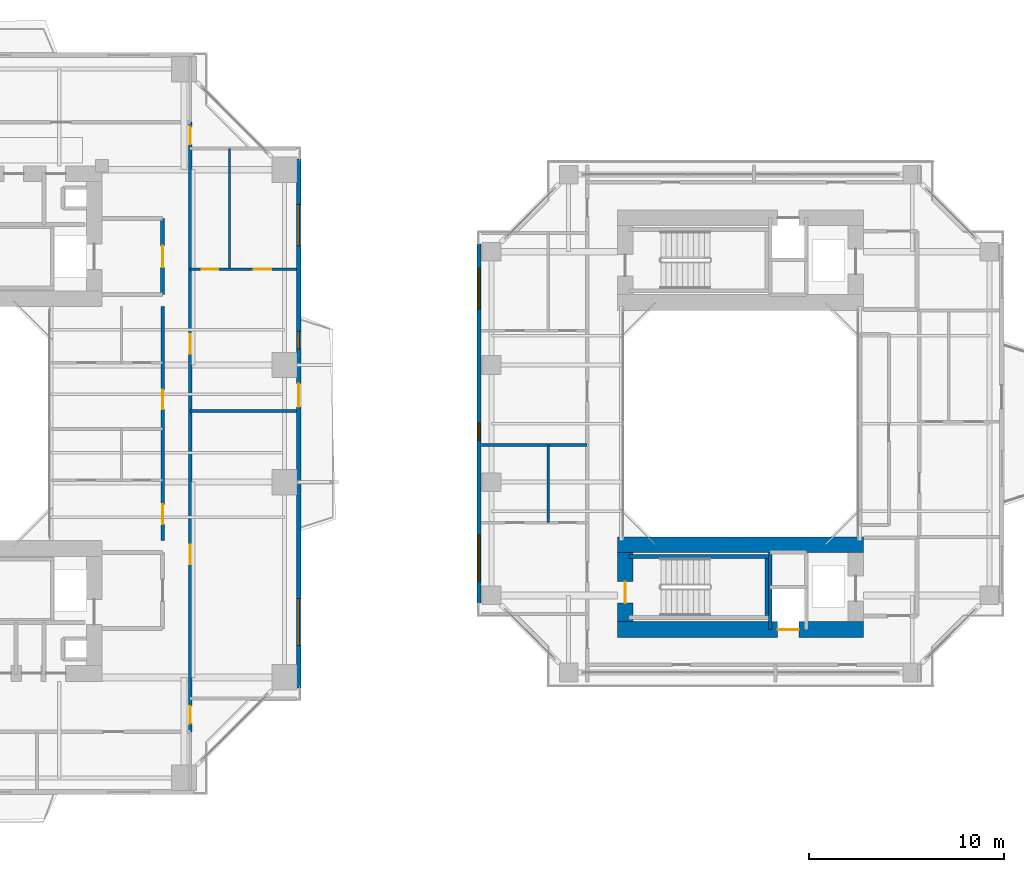
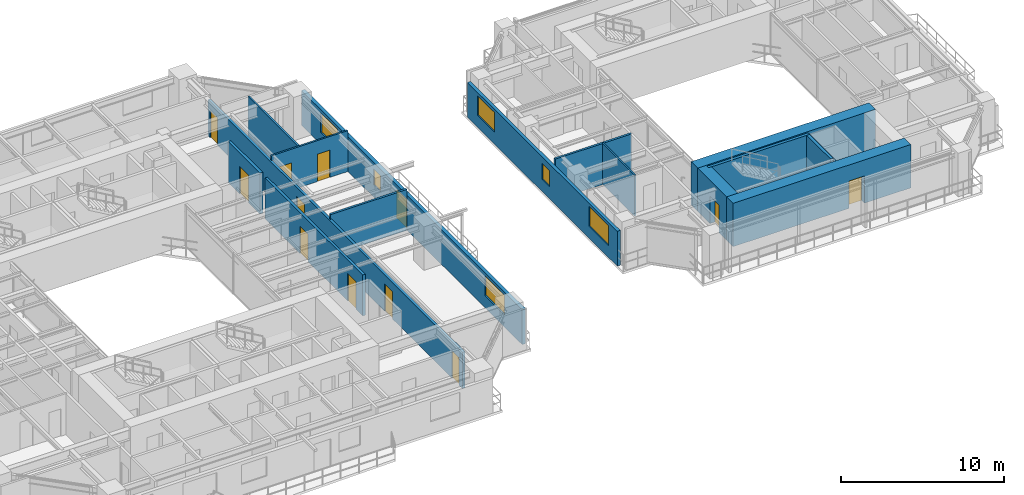
# One storey, part 15 of 23: 16 walls, 12 doors, 6 windows, 18 openings.
"""IFC4 building model written with IfcOpenShell, lengths in metres."""

from ifc_helpers import new_model, si_unit, direction, frame, frame_2d, origin, place, context, subcontext, project, spatial, rectangle, extrude, source, transform, mapped, material, layer, layer_set, type_object, element, fill, save


model = new_model("IFC4")

# Units and contexts
model_context = context("Model", 3, precision=1e-05, world=origin(), true_north=direction((0.0, 1.0)))
body_context = subcontext(model_context, "Body", "Model", "MODEL_VIEW")
ifc_project = project(units=[si_unit("LENGTHUNIT", "METRE"), si_unit("AREAUNIT", "SQUARE_METRE"), si_unit("VOLUMEUNIT", "CUBIC_METRE"), si_unit("PLANEANGLEUNIT", "RADIAN"), si_unit("MASSUNIT", "GRAM", prefix="KILO"), si_unit("THERMODYNAMICTEMPERATUREUNIT", "KELVIN"), si_unit("POWERUNIT", "WATT")], contexts=[model_context])

# Site, building, storey
site_placement = place(None, origin())
site = spatial("IfcSite", under=ifc_project, at=site_placement, CompositionType="ELEMENT")
building_placement = place(site_placement, origin())
building = spatial("IfcBuilding", under=site, at=building_placement, Name="Qiaomeng Ring Towers", CompositionType="ELEMENT")
storey_placement = place(building_placement, frame((0.0, 0.0, 26.25)))
storey = spatial("IfcBuildingStorey", under=building, at=storey_placement, Name="L06", CompositionType="ELEMENT", Elevation=26.25)

# Wall, openings, windows, door
ifc_material_1 = material(Name="Precast concrete C40", Category="concrete")
ifc_layer_1 = layer(ifc_material_1, 0.25, Name="Precast concrete C40")
ifc_layer_set_1 = layer_set([ifc_layer_1], Name="Precast concrete C40")
wall_type_1 = type_object("IfcWallType", Name="ARC-WL-EW1", PredefinedType="STANDARD", material=ifc_layer_set_1)
wall_1_placement = place(storey_placement, frame((37.875, 9.449951171875, 0.0), z_axis=(0.0, 0.0, 1.0), x_axis=(0.0, 1.0, 0.0)))
wall_1 = element("IfcWall", 1, at=wall_1_placement, inside=storey, type_object=wall_type_1, Name="L06 Tower 1 E Exterior Wall", PredefinedType="STANDARD", context=body_context, shape_type="SweptSolid", body=[
    extrude(rectangle(XDim=27.10009765625, YDim=0.25, at=frame_2d((13.550048828125, 0.0))), origin(), (0.0, 0.0, 1.0), 2.610107421875),
])
opening_1_placement = place(wall_1_placement, frame((14.39990234375, 0.0, 0.0)))
opening_1 = element("IfcOpeningElement", 2, at=opening_1_placement, cuts=wall_1, Name="Opening BD1", PredefinedType="OPENING", context=body_context, shape_type="SweptSolid", body=[
    extrude(rectangle(XDim=1.199951171875, YDim=2.10009765625, at=frame_2d((0.60009765625, 1.050048828125))), frame((0.0, 0.135009765625, 0.0), z_axis=(0.0, -1.0, 0.0), x_axis=(1.0, 0.0, 0.0)), (0.0, 0.0, 1.0), 0.27001953125),
])
opening_2_placement = place(wall_1_placement, frame((2.18798828125, 0.0, 0.89990234375)))
opening_2 = element("IfcOpeningElement", 3, at=opening_2_placement, cuts=wall_1, Name="Opening WN6", PredefinedType="OPENING", context=body_context, shape_type="SweptSolid", body=[
    extrude(rectangle(XDim=2.39990234375, YDim=1.47998046875, at=frame_2d((1.199951171875, 0.739990234375))), frame((0.0, 0.135009765625, 0.0), z_axis=(0.0, -1.0, 0.0), x_axis=(1.0, 0.0, 0.0)), (0.0, 0.0, 1.0), 0.27001953125),
])
opening_3_placement = place(wall_1_placement, frame((22.6630859375, 0.0, 0.89990234375)))
opening_3 = element("IfcOpeningElement", 4, at=opening_3_placement, cuts=wall_1, Name="Opening WN4", PredefinedType="OPENING", context=body_context, shape_type="SweptSolid", body=[
    extrude(rectangle(XDim=2.10009765625, YDim=1.47998046875, at=frame_2d((1.050048828125, 0.739990234375))), frame((0.0, 0.135009765625, 0.0), z_axis=(0.0, -1.0, 0.0), x_axis=(1.0, 0.0, 0.0)), (0.0, 0.0, 1.0), 0.27001953125),
])
opening_4_placement = place(wall_1_placement, frame((17.364990234375, 0.0, 0.89990234375)))
opening_4 = element("IfcOpeningElement", 5, at=opening_4_placement, cuts=wall_1, Name="Opening WN5", PredefinedType="OPENING", context=body_context, shape_type="SweptSolid", body=[
    extrude(rectangle(XDim=0.89990234375, YDim=1.199951171875, at=frame_2d((0.449951171875, 0.60009765625))), frame((0.0, 0.135009765625, 0.0), z_axis=(0.0, -1.0, 0.0), x_axis=(1.0, 0.0, 0.0)), (0.0, 0.0, 1.0), 0.27001953125),
])
ifc_material_2 = material(Name="Low-E dark-grey laminated double glazing", Category="glass")
window_type_1 = type_object("IfcWindowType", Name="ARC-WN-4", PartitioningType="TRIPLE_PANEL_VERTICAL", PredefinedType="WINDOW", material=ifc_material_2)
shared_shape_1 = source(origin(), body_context, "Body", "SweptSolid", [
    extrude(rectangle(XDim=2.10009765625, YDim=1.47998046875, at=frame_2d((1.050048828125, 0.739990234375))), frame((0.0, 0.030029296875, 0.0), z_axis=(0.0, -1.0, 0.0), x_axis=(1.0, 0.0, 0.0)), (0.0, 0.0, 1.0), 0.06005859375),
])
window_1_placement = place(opening_3_placement, origin())
window_1 = element("IfcWindow", 6, at=window_1_placement, inside=storey, type_object=window_type_1, Name="L06 Exterior Window WN4", OverallHeight=1.47998046875, OverallWidth=2.10009765625, PartitioningType="TRIPLE_PANEL_VERTICAL", PredefinedType="WINDOW", context=body_context, shape_type="MappedRepresentation", body=[
    mapped(shared_shape_1, transform((0.0, 0.0, 0.0), x_axis=(1.0, 0.0, 0.0), y_axis=(0.0, 1.0, 0.0), z_axis=(0.0, 0.0, 1.0), scale=1.0)),
])
fill(opening_3, window_1)
window_type_2 = type_object("IfcWindowType", Name="ARC-WN-6", PartitioningType="TRIPLE_PANEL_VERTICAL", PredefinedType="WINDOW", material=ifc_material_2)
shared_shape_2 = source(origin(), body_context, "Body", "SweptSolid", [
    extrude(rectangle(XDim=2.39990234375, YDim=1.47998046875, at=frame_2d((1.199951171875, 0.739990234375))), frame((0.0, 0.030029296875, 0.0), z_axis=(0.0, -1.0, 0.0), x_axis=(1.0, 0.0, 0.0)), (0.0, 0.0, 1.0), 0.06005859375),
])
window_2_placement = place(opening_2_placement, origin())
window_2 = element("IfcWindow", 7, at=window_2_placement, inside=storey, type_object=window_type_2, Name="L06 Exterior Window WN6", OverallHeight=1.47998046875, OverallWidth=2.39990234375, PartitioningType="TRIPLE_PANEL_VERTICAL", PredefinedType="WINDOW", context=body_context, shape_type="MappedRepresentation", body=[
    mapped(shared_shape_2, transform((0.0, 0.0, 0.0), x_axis=(1.0, 0.0, 0.0), y_axis=(0.0, 1.0, 0.0), z_axis=(0.0, 0.0, 1.0), scale=1.0)),
])
fill(opening_2, window_2)
door_type_1 = type_object("IfcDoorType", Name="ARC-DR-BD1", OperationType="NOTDEFINED", PredefinedType="DOOR", material=ifc_material_2)
shared_shape_3 = source(origin(), body_context, "Body", "SweptSolid", [
    extrude(rectangle(XDim=1.199951171875, YDim=2.10009765625, at=frame_2d((0.60009765625, 1.050048828125))), frame((0.0, 0.02490234375, 0.0), z_axis=(0.0, -1.0, 0.0), x_axis=(1.0, 0.0, 0.0)), (0.0, 0.0, 1.0), 0.050048828125),
])
door_1_placement = place(opening_1_placement, origin())
door_1 = element("IfcDoor", 8, at=door_1_placement, inside=storey, type_object=door_type_1, Name="L06 E Balcony Glazed Door", OperationType="SINGLE_SWING_LEFT", OverallHeight=2.10009765625, OverallWidth=1.199951171875, PredefinedType="DOOR", context=body_context, shape_type="MappedRepresentation", body=[
    mapped(shared_shape_3, transform((0.0, 0.0, 0.0), x_axis=(1.0, 0.0, 0.0), y_axis=(0.0, 1.0, 0.0), z_axis=(0.0, 0.0, 1.0), scale=1.0)),
])
fill(opening_1, door_1)
window_type_3 = type_object("IfcWindowType", Name="ARC-WN-5", PartitioningType="SINGLE_PANEL", PredefinedType="WINDOW", material=ifc_material_2)
shared_shape_4 = source(origin(), body_context, "Body", "SweptSolid", [
    extrude(rectangle(XDim=0.89990234375, YDim=1.199951171875, at=frame_2d((0.449951171875, 0.60009765625))), frame((0.0, 0.030029296875, 0.0), z_axis=(0.0, -1.0, 0.0), x_axis=(1.0, 0.0, 0.0)), (0.0, 0.0, 1.0), 0.06005859375),
])
window_3_placement = place(opening_4_placement, origin())
window_3 = element("IfcWindow", 9, at=window_3_placement, inside=storey, type_object=window_type_3, Name="L06 Exterior Window WN5", OverallHeight=1.199951171875, OverallWidth=0.89990234375, PartitioningType="SINGLE_PANEL", PredefinedType="WINDOW", context=body_context, shape_type="MappedRepresentation", body=[
    mapped(shared_shape_4, transform((0.0, 0.0, 0.0), x_axis=(1.0, 0.0, 0.0), y_axis=(0.0, 1.0, 0.0), z_axis=(0.0, 0.0, 1.0), scale=1.0)),
])
fill(opening_4, window_3)

# Wall, openings, windows
ifc_layer_2 = layer(ifc_material_1, 0.219970703125, Name="Precast concrete C40")
ifc_layer_set_2 = layer_set([ifc_layer_2], Name="Precast concrete C40")
wall_type_2 = type_object("IfcWallType", Name="ARC-WL-EW2", PredefinedType="STANDARD", material=ifc_layer_set_2)
wall_2_placement = place(storey_placement, frame((47.110107421875, 13.800048828125, 0.0), z_axis=(0.0, 0.0, 1.0), x_axis=(0.0, 1.0, 0.0)))
wall_2 = element("IfcWall", 10, at=wall_2_placement, inside=storey, type_object=wall_type_2, Name="L06 Companion West Wall", PredefinedType="STANDARD", context=body_context, shape_type="SweptSolid", body=[
    extrude(rectangle(XDim=18.39990234375, YDim=0.219970703125, at=frame_2d((9.199951171875, 0.0))), origin(), (0.0, 0.0, 1.0), 2.610107421875),
])
opening_5_placement = place(wall_2_placement, frame((1.10009765625, 0.0, 0.89990234375)))
opening_5 = element("IfcOpeningElement", 11, at=opening_5_placement, cuts=wall_2, Name="Opening WN6", PredefinedType="OPENING", context=body_context, shape_type="SweptSolid", body=[
    extrude(rectangle(XDim=2.39990234375, YDim=1.47998046875, at=frame_2d((1.199951171875, 0.739990234375))), frame((0.0, 0.119873046875, 0.0), z_axis=(0.0, -1.0, 0.0), x_axis=(1.0, 0.0, 0.0)), (0.0, 0.0, 1.0), 0.239990234375),
])
opening_6_placement = place(wall_2_placement, frame((15.050048828125, 0.0, 0.89990234375)))
opening_6 = element("IfcOpeningElement", 12, at=opening_6_placement, cuts=wall_2, Name="Opening WN4", PredefinedType="OPENING", context=body_context, shape_type="SweptSolid", body=[
    extrude(rectangle(XDim=2.10009765625, YDim=1.47998046875, at=frame_2d((1.050048828125, 0.739990234375))), frame((0.0, 0.119873046875, 0.0), z_axis=(0.0, -1.0, 0.0), x_axis=(1.0, 0.0, 0.0)), (0.0, 0.0, 1.0), 0.239990234375),
])
opening_7_placement = place(wall_2_placement, frame((8.3349609375, 0.0, 0.89990234375)))
opening_7 = element("IfcOpeningElement", 13, at=opening_7_placement, cuts=wall_2, Name="Opening WN5", PredefinedType="OPENING", context=body_context, shape_type="SweptSolid", body=[
    extrude(rectangle(XDim=0.89990234375, YDim=1.199951171875, at=frame_2d((0.449951171875, 0.60009765625))), frame((0.0, 0.119873046875, 0.0), z_axis=(0.0, -1.0, 0.0), x_axis=(1.0, 0.0, 0.0)), (0.0, 0.0, 1.0), 0.239990234375),
])
window_4_placement = place(opening_6_placement, origin())
window_4 = element("IfcWindow", 14, at=window_4_placement, inside=storey, type_object=window_type_1, Name="L06 Exterior Window WN4", OverallHeight=1.47998046875, OverallWidth=2.10009765625, PartitioningType="TRIPLE_PANEL_VERTICAL", PredefinedType="WINDOW", context=body_context, shape_type="MappedRepresentation", body=[
    mapped(shared_shape_1, transform((0.0, 0.0, 0.0), x_axis=(1.0, 0.0, 0.0), y_axis=(0.0, 1.0, 0.0), z_axis=(0.0, 0.0, 1.0), scale=1.0)),
])
fill(opening_6, window_4)
window_5_placement = place(opening_5_placement, origin())
window_5 = element("IfcWindow", 15, at=window_5_placement, inside=storey, type_object=window_type_2, Name="L06 Exterior Window WN6", OverallHeight=1.47998046875, OverallWidth=2.39990234375, PartitioningType="TRIPLE_PANEL_VERTICAL", PredefinedType="WINDOW", context=body_context, shape_type="MappedRepresentation", body=[
    mapped(shared_shape_2, transform((0.0, 0.0, 0.0), x_axis=(1.0, 0.0, 0.0), y_axis=(0.0, 1.0, 0.0), z_axis=(0.0, 0.0, 1.0), scale=1.0)),
])
fill(opening_5, window_5)
window_6_placement = place(opening_7_placement, origin())
window_6 = element("IfcWindow", 16, at=window_6_placement, inside=storey, type_object=window_type_3, Name="L06 Exterior Window WN5", OverallHeight=1.199951171875, OverallWidth=0.89990234375, PartitioningType="SINGLE_PANEL", PredefinedType="WINDOW", context=body_context, shape_type="MappedRepresentation", body=[
    mapped(shared_shape_4, transform((0.0, 0.0, 0.0), x_axis=(1.0, 0.0, 0.0), y_axis=(0.0, 1.0, 0.0), z_axis=(0.0, 0.0, 1.0), scale=1.0)),
])
fill(opening_7, window_6)

# Wall, opening, door
ifc_material_3 = material(Name="Autoclaved aerated concrete block", Category="concrete")
ifc_layer_3 = layer(ifc_material_3, 0.199951171875, Name="Autoclaved aerated concrete block")
ifc_layer_set_3 = layer_set([ifc_layer_3], Name="Autoclaved aerated concrete block")
wall_type_3 = type_object("IfcWallType", Name="ARC-WL-PW1", PredefinedType="PARTITIONING", material=ifc_layer_set_3)
wall_3_placement = place(storey_placement, frame((30.89990234375, 29.60009765625, 0.0), z_axis=(0.0, 0.0, 1.0), x_axis=(0.0, 1.0, 0.0)))
wall_3 = element("IfcWall", 17, at=wall_3_placement, inside=storey, type_object=wall_type_3, Name="L06 Interior Wall PW1", PredefinedType="PARTITIONING", context=body_context, shape_type="SweptSolid", body=[
    extrude(rectangle(XDim=3.89990234375, YDim=0.199951171875, at=frame_2d((1.949951171875, 0.0))), origin(), (0.0, 0.0, 1.0), 3.070068359375),
])
opening_8_placement = place(wall_3_placement, frame((1.39990234375, 0.0, 0.0)))
opening_8 = element("IfcOpeningElement", 18, at=opening_8_placement, cuts=wall_3, Name="Opening FD3", PredefinedType="OPENING", context=body_context, shape_type="SweptSolid", body=[
    extrude(rectangle(XDim=1.10009765625, YDim=2.050048828125, at=frame_2d((0.550048828125, 1.02490234375))), frame((0.0, 0.10986328125, 0.0), z_axis=(0.0, -1.0, 0.0), x_axis=(1.0, 0.0, 0.0)), (0.0, 0.0, 1.0), 0.219970703125),
])
ifc_material_4 = material(Name="Galvanised steel", Category="steel")
door_type_2 = type_object("IfcDoorType", Name="ARC-DR-FD3", OperationType="NOTDEFINED", PredefinedType="DOOR", material=ifc_material_4)
shared_shape_5 = source(origin(), body_context, "Body", "SweptSolid", [
    extrude(rectangle(XDim=1.10009765625, YDim=2.050048828125, at=frame_2d((0.550048828125, 1.02490234375))), frame((0.0, 0.02490234375, 0.0), z_axis=(0.0, -1.0, 0.0), x_axis=(1.0, 0.0, 0.0)), (0.0, 0.0, 1.0), 0.050048828125),
])
door_2_placement = place(opening_8_placement, origin())
door_2 = element("IfcDoor", 19, at=door_2_placement, inside=storey, type_object=door_type_2, Name="L06 North FF Lobby Door", OperationType="SINGLE_SWING_RIGHT", OverallHeight=2.050048828125, OverallWidth=1.10009765625, PredefinedType="DOOR", context=body_context, shape_type="MappedRepresentation", body=[
    mapped(shared_shape_5, transform((0.0, 0.0, 0.0), x_axis=(1.0, 0.0, 0.0), y_axis=(0.0, 1.0, 0.0), z_axis=(0.0, 0.0, 1.0), scale=1.0)),
])
fill(opening_8, door_2)

# Wall, openings, doors
ifc_layer_4 = layer(ifc_material_3, 0.179931640625, Name="Autoclaved aerated concrete block")
ifc_layer_set_4 = layer_set([ifc_layer_4], Name="Autoclaved aerated concrete block")
wall_type_4 = type_object("IfcWallType", Name="ARC-WL-PW2", PredefinedType="PARTITIONING", material=ifc_layer_set_4)
wall_4_placement = place(storey_placement, frame((32.320068359375, 7.2099609375, 0.0), z_axis=(0.0, 0.0, 1.0), x_axis=(0.0, 1.0, 0.0)))
wall_4 = element("IfcWall", 20, at=wall_4_placement, inside=storey, type_object=wall_type_4, Name="L06 Interior Wall PW2", PredefinedType="PARTITIONING", context=body_context, shape_type="SweptSolid", body=[
    extrude(rectangle(XDim=31.22998046875, YDim=0.179931640625, at=frame_2d((15.614990234375, 0.0))), origin(), (0.0, 0.0, 1.0), 2.715087890625),
])
opening_9_placement = place(wall_4_placement, frame((30.090087890625, 0.0, 0.0)))
opening_9 = element("IfcOpeningElement", 21, at=opening_9_placement, cuts=wall_4, Name="Opening ID1", PredefinedType="OPENING", context=body_context, shape_type="SweptSolid", body=[
    extrude(rectangle(XDim=0.89990234375, YDim=2.050048828125, at=frame_2d((0.449951171875, 1.02490234375))), frame((0.0, 0.099853515625, 0.0), z_axis=(0.0, -1.0, 0.0), x_axis=(1.0, 0.0, 0.0)), (0.0, 0.0, 1.0), 0.199951171875),
])
opening_10_placement = place(wall_4_placement, frame((0.4150390625, 0.0, 0.0)))
opening_10 = element("IfcOpeningElement", 22, at=opening_10_placement, cuts=wall_4, Name="Opening ID1", PredefinedType="OPENING", context=body_context, shape_type="SweptSolid", body=[
    extrude(rectangle(XDim=0.89990234375, YDim=2.050048828125, at=frame_2d((0.449951171875, 1.02490234375))), frame((0.0, 0.099853515625, 0.0), z_axis=(0.0, -1.0, 0.0), x_axis=(1.0, 0.0, 0.0)), (0.0, 0.0, 1.0), 0.199951171875),
])
opening_11_placement = place(wall_4_placement, frame((8.574951171875, 0.0, 0.0)))
opening_11 = element("IfcOpeningElement", 23, at=opening_11_placement, cuts=wall_4, Name="Opening FD4", PredefinedType="OPENING", context=body_context, shape_type="SweptSolid", body=[
    extrude(rectangle(XDim=1.0, YDim=2.050048828125, at=frame_2d((0.5, 1.02490234375))), frame((0.0, 0.099853515625, 0.0), z_axis=(0.0, -1.0, 0.0), x_axis=(1.0, 0.0, 0.0)), (0.0, 0.0, 1.0), 0.199951171875),
])
opening_12_placement = place(wall_4_placement, frame((19.375, 0.0, 0.0)))
opening_12 = element("IfcOpeningElement", 24, at=opening_12_placement, cuts=wall_4, Name="Opening FD4", PredefinedType="OPENING", context=body_context, shape_type="SweptSolid", body=[
    extrude(rectangle(XDim=1.0, YDim=2.050048828125, at=frame_2d((0.5, 1.02490234375))), frame((0.0, 0.099853515625, 0.0), z_axis=(0.0, -1.0, 0.0), x_axis=(1.0, 0.0, 0.0)), (0.0, 0.0, 1.0), 0.199951171875),
])
ifc_material_5 = material(Name="Engineered fire-rated oak timber", Category="wood")
door_type_3 = type_object("IfcDoorType", Name="ARC-DR-FD4", OperationType="NOTDEFINED", PredefinedType="DOOR", material=ifc_material_5)
shared_shape_6 = source(origin(), body_context, "Body", "SweptSolid", [
    extrude(rectangle(XDim=1.0, YDim=2.050048828125, at=frame_2d((0.5, 1.02490234375))), frame((0.0, 0.02490234375, 0.0), z_axis=(0.0, -1.0, 0.0), x_axis=(1.0, 0.0, 0.0)), (0.0, 0.0, 1.0), 0.050048828125),
])
door_3_placement = place(opening_11_placement, origin())
door_3 = element("IfcDoor", 25, at=door_3_placement, inside=storey, type_object=door_type_3, Name="L06 Door FD4", OperationType="SINGLE_SWING_LEFT", OverallHeight=2.050048828125, OverallWidth=1.0, PredefinedType="DOOR", context=body_context, shape_type="MappedRepresentation", body=[
    mapped(shared_shape_6, transform((0.0, 0.0, 0.0), x_axis=(1.0, 0.0, 0.0), y_axis=(0.0, 1.0, 0.0), z_axis=(0.0, 0.0, 1.0), scale=1.0)),
])
fill(opening_11, door_3)
door_4_placement = place(opening_12_placement, origin())
door_4 = element("IfcDoor", 26, at=door_4_placement, inside=storey, type_object=door_type_3, Name="L06 Door FD4", OperationType="SINGLE_SWING_RIGHT", OverallHeight=2.050048828125, OverallWidth=1.0, PredefinedType="DOOR", context=body_context, shape_type="MappedRepresentation", body=[
    mapped(shared_shape_6, transform((0.0, 0.0, 0.0), x_axis=(1.0, 0.0, 0.0), y_axis=(0.0, 1.0, 0.0), z_axis=(0.0, 0.0, 1.0), scale=1.0)),
])
fill(opening_12, door_4)
ifc_material_6 = material(Name="Engineered oak timber", Category="wood")
door_type_4 = type_object("IfcDoorType", Name="ARC-DR-ID1", OperationType="NOTDEFINED", PredefinedType="DOOR", material=ifc_material_6)
shared_shape_7 = source(origin(), body_context, "Body", "SweptSolid", [
    extrude(rectangle(XDim=0.89990234375, YDim=2.050048828125, at=frame_2d((0.449951171875, 1.02490234375))), frame((0.0, 0.02490234375, 0.0), z_axis=(0.0, -1.0, 0.0), x_axis=(1.0, 0.0, 0.0)), (0.0, 0.0, 1.0), 0.050048828125),
])
door_5_placement = place(opening_9_placement, origin())
door_5 = element("IfcDoor", 27, at=door_5_placement, inside=storey, type_object=door_type_4, Name="L06 Door ID1", OperationType="SINGLE_SWING_LEFT", OverallHeight=2.050048828125, OverallWidth=0.89990234375, PredefinedType="DOOR", context=body_context, shape_type="MappedRepresentation", body=[
    mapped(shared_shape_7, transform((0.0, 0.0, 0.0), x_axis=(1.0, 0.0, 0.0), y_axis=(0.0, 1.0, 0.0), z_axis=(0.0, 0.0, 1.0), scale=1.0)),
])
fill(opening_9, door_5)
door_6_placement = place(opening_10_placement, origin())
door_6 = element("IfcDoor", 28, at=door_6_placement, inside=storey, type_object=door_type_4, Name="L06 Door ID1", OperationType="SINGLE_SWING_RIGHT", OverallHeight=2.050048828125, OverallWidth=0.89990234375, PredefinedType="DOOR", context=body_context, shape_type="MappedRepresentation", body=[
    mapped(shared_shape_7, transform((0.0, 0.0, 0.0), x_axis=(1.0, 0.0, 0.0), y_axis=(0.0, 1.0, 0.0), z_axis=(0.0, 0.0, 1.0), scale=1.0)),
])
fill(opening_10, door_6)

wall_5_placement = place(storey_placement, frame((30.89990234375, 17.0, 0.0), z_axis=(0.0, 0.0, 1.0), x_axis=(0.0, 1.0, 0.0)))
wall_5 = element("IfcWall", 29, at=wall_5_placement, inside=storey, type_object=wall_type_4, Name="L06 Interior Wall PW2", PredefinedType="PARTITIONING", context=body_context, shape_type="SweptSolid", body=[
    extrude(rectangle(XDim=12.0, YDim=0.179931640625, at=frame_2d((6.0, 0.0))), origin(), (0.0, 0.0, 1.0), 3.070068359375),
])
opening_13_placement = place(wall_5_placement, frame((0.85498046875, 0.0, 0.0)))
opening_13 = element("IfcOpeningElement", 30, at=opening_13_placement, cuts=wall_5, Name="Opening FD4", PredefinedType="OPENING", context=body_context, shape_type="SweptSolid", body=[
    extrude(rectangle(XDim=1.0, YDim=2.050048828125, at=frame_2d((0.5, 1.02490234375))), frame((0.0, 0.099853515625, 0.0), z_axis=(0.0, -1.0, 0.0), x_axis=(1.0, 0.0, 0.0)), (0.0, 0.0, 1.0), 0.199951171875),
])
opening_14_placement = place(wall_5_placement, frame((6.72509765625, 0.0, 0.0)))
opening_14 = element("IfcOpeningElement", 31, at=opening_14_placement, cuts=wall_5, Name="Opening FD4", PredefinedType="OPENING", context=body_context, shape_type="SweptSolid", body=[
    extrude(rectangle(XDim=1.0, YDim=2.050048828125, at=frame_2d((0.5, 1.02490234375))), frame((0.0, 0.099853515625, 0.0), z_axis=(0.0, -1.0, 0.0), x_axis=(1.0, 0.0, 0.0)), (0.0, 0.0, 1.0), 0.199951171875),
])
door_7_placement = place(opening_13_placement, origin())
door_7 = element("IfcDoor", 32, at=door_7_placement, inside=storey, type_object=door_type_3, Name="L06 Door FD4", OperationType="SINGLE_SWING_LEFT", OverallHeight=2.050048828125, OverallWidth=1.0, PredefinedType="DOOR", context=body_context, shape_type="MappedRepresentation", body=[
    mapped(shared_shape_6, transform((0.0, 0.0, 0.0), x_axis=(1.0, 0.0, 0.0), y_axis=(0.0, 1.0, 0.0), z_axis=(0.0, 0.0, 1.0), scale=1.0)),
])
fill(opening_13, door_7)
door_8_placement = place(opening_14_placement, origin())
door_8 = element("IfcDoor", 33, at=door_8_placement, inside=storey, type_object=door_type_3, Name="L06 Door FD4", OperationType="SINGLE_SWING_RIGHT", OverallHeight=2.050048828125, OverallWidth=1.0, PredefinedType="DOOR", context=body_context, shape_type="MappedRepresentation", body=[
    mapped(shared_shape_6, transform((0.0, 0.0, 0.0), x_axis=(1.0, 0.0, 0.0), y_axis=(0.0, 1.0, 0.0), z_axis=(0.0, 0.0, 1.0), scale=1.0)),
])
fill(opening_14, door_8)

# Walls
ifc_material_7 = material(Name="Gypsum fireboard steel-stud partition", Category="steel")
ifc_layer_5 = layer(ifc_material_7, 0.14990234375, Name="Gypsum fireboard steel-stud partition")
ifc_layer_set_5 = layer_set([ifc_layer_5], Name="Gypsum fireboard steel-stud partition")
wall_type_5 = type_object("IfcWallType", Name="ARC-WL-PW3", PredefinedType="PARTITIONING", material=ifc_layer_set_5)
wall_6_placement = place(storey_placement, frame((32.320068359375, 23.64990234375, 0.0), z_axis=(0.0, 0.0, 1.0), x_axis=(1.0, 0.0, 0.0)))
element("IfcWall", 34, at=wall_6_placement, inside=storey, type_object=wall_type_5, Name="L06 Interior Wall PW3", PredefinedType="PARTITIONING", context=body_context, shape_type="SweptSolid", body=[
    extrude(rectangle(XDim=5.429931640625, YDim=0.14990234375, at=frame_2d((2.71484375, 0.0))), origin(), (0.0, 0.0, 1.0), 3.070068359375),
])
wall_7_placement = place(storey_placement, frame((47.25, 21.89990234375, 0.0), z_axis=(0.0, 0.0, 1.0), x_axis=(1.0, 0.0, 0.0)))
element("IfcWall", 35, at=wall_7_placement, inside=storey, type_object=wall_type_5, Name="L06 Interior Wall PW3", PredefinedType="PARTITIONING", context=body_context, shape_type="SweptSolid", body=[
    extrude(rectangle(XDim=5.39990234375, YDim=0.14990234375, at=frame_2d((2.699951171875, 0.0))), origin(), (0.0, 0.0, 1.0), 3.070068359375),
])

# Wall, openings, doors
ifc_material_8 = material(Name="Moisture-resistant gypsum steel-stud partition", Category="steel")
ifc_layer_6 = layer(ifc_material_8, 0.1201171875, Name="Moisture-resistant gypsum steel-stud partition")
ifc_layer_set_6 = layer_set([ifc_layer_6], Name="Moisture-resistant gypsum steel-stud partition")
wall_type_6 = type_object("IfcWallType", Name="ARC-WL-PW4", PredefinedType="PLUMBINGWALL", material=ifc_layer_set_6)
wall_8_placement = place(storey_placement, frame((32.320068359375, 30.89990234375, 0.0), z_axis=(0.0, 0.0, 1.0), x_axis=(1.0, 0.0, 0.0)))
wall_8 = element("IfcWall", 36, at=wall_8_placement, inside=storey, type_object=wall_type_6, Name="L06 Interior Wall PW4", PredefinedType="PLUMBINGWALL", context=body_context, shape_type="SweptSolid", body=[
    extrude(rectangle(XDim=5.429931640625, YDim=0.1201171875, at=frame_2d((2.71484375, 0.0))), origin(), (0.0, 0.0, 1.0), 3.070068359375),
])
opening_15_placement = place(wall_8_placement, frame((0.590087890625, 0.0, 0.0)))
opening_15 = element("IfcOpeningElement", 37, at=opening_15_placement, cuts=wall_8, Name="Opening ID2", PredefinedType="OPENING", context=body_context, shape_type="SweptSolid", body=[
    extrude(rectangle(XDim=0.85009765625, YDim=2.050048828125, at=frame_2d((0.425048828125, 1.02490234375))), frame((0.0, 0.070068359375, 0.0), z_axis=(0.0, -1.0, 0.0), x_axis=(1.0, 0.0, 0.0)), (0.0, 0.0, 1.0), 0.14013671875),
])
opening_16_placement = place(wall_8_placement, frame((3.260009765625, 0.0, 0.0)))
opening_16 = element("IfcOpeningElement", 38, at=opening_16_placement, cuts=wall_8, Name="Opening ID1", PredefinedType="OPENING", context=body_context, shape_type="SweptSolid", body=[
    extrude(rectangle(XDim=0.89990234375, YDim=2.050048828125, at=frame_2d((0.449951171875, 1.02490234375))), frame((0.0, 0.070068359375, 0.0), z_axis=(0.0, -1.0, 0.0), x_axis=(1.0, 0.0, 0.0)), (0.0, 0.0, 1.0), 0.14013671875),
])
ifc_material_9 = material(Name="Moisture-resistant engineered timber", Category="wood")
door_type_5 = type_object("IfcDoorType", Name="ARC-DR-ID2", OperationType="NOTDEFINED", PredefinedType="DOOR", material=ifc_material_9)
shared_shape_8 = source(origin(), body_context, "Body", "SweptSolid", [
    extrude(rectangle(XDim=0.85009765625, YDim=2.050048828125, at=frame_2d((0.425048828125, 1.02490234375))), frame((0.0, 0.02490234375, 0.0), z_axis=(0.0, -1.0, 0.0), x_axis=(1.0, 0.0, 0.0)), (0.0, 0.0, 1.0), 0.050048828125),
])
door_9_placement = place(opening_15_placement, origin())
door_9 = element("IfcDoor", 39, at=door_9_placement, inside=storey, type_object=door_type_5, Name="L06 Door ID2", OperationType="SINGLE_SWING_RIGHT", OverallHeight=2.050048828125, OverallWidth=0.85009765625, PredefinedType="DOOR", context=body_context, shape_type="MappedRepresentation", body=[
    mapped(shared_shape_8, transform((0.0, 0.0, 0.0), x_axis=(1.0, 0.0, 0.0), y_axis=(0.0, 1.0, 0.0), z_axis=(0.0, 0.0, 1.0), scale=1.0)),
])
fill(opening_15, door_9)
door_10_placement = place(opening_16_placement, origin())
door_10 = element("IfcDoor", 40, at=door_10_placement, inside=storey, type_object=door_type_4, Name="L06 Door ID1", OperationType="SINGLE_SWING_LEFT", OverallHeight=2.050048828125, OverallWidth=0.89990234375, PredefinedType="DOOR", context=body_context, shape_type="MappedRepresentation", body=[
    mapped(shared_shape_7, transform((0.0, 0.0, 0.0), x_axis=(1.0, 0.0, 0.0), y_axis=(0.0, 1.0, 0.0), z_axis=(0.0, 0.0, 1.0), scale=1.0)),
])
fill(opening_16, door_10)

# Walls
wall_9_placement = place(storey_placement, frame((34.330078125, 30.89990234375, 0.0), z_axis=(0.0, 0.0, 1.0), x_axis=(0.0, 1.0, 0.0)))
element("IfcWall", 41, at=wall_9_placement, inside=storey, type_object=wall_type_6, Name="L06 Interior Wall PW4", PredefinedType="PLUMBINGWALL", context=body_context, shape_type="SweptSolid", body=[
    extrude(rectangle(XDim=6.18017578125, YDim=0.1201171875, at=frame_2d((3.090087890625, 0.0))), origin(), (0.0, 0.0, 1.0), 3.070068359375),
])
wall_10_placement = place(storey_placement, frame((50.64990234375, 17.919921875, 0.0), z_axis=(0.0, 0.0, 1.0), x_axis=(0.0, 1.0, 0.0)))
element("IfcWall", 42, at=wall_10_placement, inside=storey, type_object=wall_type_6, Name="L06 Interior Wall PW4", PredefinedType="PLUMBINGWALL", context=body_context, shape_type="SweptSolid", body=[
    extrude(rectangle(XDim=3.97998046875, YDim=0.1201171875, at=frame_2d((1.989990234375, 0.0))), origin(), (0.0, 0.0, 1.0), 3.070068359375),
])
ifc_material_10 = material(Name="Concrete C40", Category="concrete")
ifc_layer_7 = layer(ifc_material_10, 0.199951171875, Name="Concrete C40")
ifc_layer_set_7 = layer_set([ifc_layer_7], Name="Concrete C40")
wall_type_7 = type_object("IfcWallType", Name="STR-WL-STSHAFT", PredefinedType="SHEAR", material=ifc_layer_set_7)
wall_11_placement = place(storey_placement, frame((62.02001953125, 12.449951171875, 0.0), z_axis=(0.0, 0.0, 1.0), x_axis=(0.0, 1.0, 0.0)))
element("IfcWall", 43, at=wall_11_placement, inside=storey, type_object=wall_type_7, Name="L06 Companion Lift Shaft West Wall S", PredefinedType="SHEAR", context=body_context, shape_type="SweptSolid", body=[
    extrude(rectangle(XDim=3.949951171875, YDim=0.179931640625, at=frame_2d((1.97509765625, 0.0))), origin(), (0.0, 0.0, 1.0), 3.070068359375),
])
wall_12_placement = place(storey_placement, frame((54.800048828125, 16.199951171875, 0.0), z_axis=(0.0, 0.0, 1.0), x_axis=(1.0, 0.0, 0.0)))
element("IfcWall", 44, at=wall_12_placement, inside=storey, type_object=wall_type_7, Name="L06 Stair ST6 North Shaft Shear Wall", PredefinedType="SHEAR", context=body_context, shape_type="SweptSolid", body=[
    extrude(rectangle(XDim=7.14990234375, YDim=0.199951171875, at=frame_2d((3.574951171875, 0.0))), origin(), (0.0, 0.0, 1.0), 3.25),
])
wall_13_placement = place(storey_placement, frame((61.85009765625, 13.159912109375, 0.0), z_axis=(0.0, 0.0, 1.0), x_axis=(0.0, 1.0, 0.0)))
element("IfcWall", 45, at=wall_13_placement, inside=storey, type_object=wall_type_7, Name="L06 Stair ST6 East Shaft Shear Wall", PredefinedType="SHEAR", context=body_context, shape_type="SweptSolid", body=[
    extrude(rectangle(XDim=2.940185546875, YDim=0.199951171875, at=frame_2d((1.47021484375, 0.0))), origin(), (0.0, 0.0, 1.0), 3.25),
])

# Wall, opening, door
ifc_material_11 = material(Name="Concrete C60", Category="concrete")
ifc_layer_8 = layer(ifc_material_11, 0.800048828125, Name="Concrete C60")
ifc_layer_set_8 = layer_set([ifc_layer_8], Name="Concrete C60")
wall_type_8 = type_object("IfcWallType", Name="STR-WL-SW1", PredefinedType="SHEAR", material=ifc_layer_set_8)
wall_14_placement = place(storey_placement, frame((54.199951171875, 12.449951171875, 0.0), z_axis=(0.0, 0.0, 1.0), x_axis=(1.0, 0.0, 0.0)))
wall_14 = element("IfcWall", 46, at=wall_14_placement, inside=storey, type_object=wall_type_8, Name="L06 T2SC south core shear wall", PredefinedType="SHEAR", context=body_context, shape_type="SweptSolid", body=[
    extrude(rectangle(XDim=12.60009765625, YDim=0.800048828125, at=frame_2d((6.300048828125, 0.0))), origin(), (0.0, 0.0, 1.0), 3.25),
])
opening_17_placement = place(wall_14_placement, frame((8.199951171875, 0.0, 0.0)))
opening_17 = element("IfcOpeningElement", 47, at=opening_17_placement, cuts=wall_14, Name="Opening LD1", PredefinedType="OPENING", context=body_context, shape_type="SweptSolid", body=[
    extrude(rectangle(XDim=1.10009765625, YDim=2.050048828125, at=frame_2d((0.550048828125, 1.02490234375))), frame((0.0, 0.409912109375, 0.0), z_axis=(0.0, -1.0, 0.0), x_axis=(1.0, 0.0, 0.0)), (0.0, 0.0, 1.0), 0.820068359375),
])
ifc_material_12 = material(Name="Stainless steel 316", Category="steel")
door_type_6 = type_object("IfcDoorType", Name="ARC-DR-LD1", OperationType="NOTDEFINED", PredefinedType="DOOR", material=ifc_material_12)
door_11_placement = place(opening_17_placement, origin())
door_11 = element("IfcDoor", 48, at=door_11_placement, inside=storey, type_object=door_type_6, Name="L06 Companion Lift LP8 Landing Door", OperationType="SLIDING_TO_RIGHT", OverallHeight=2.050048828125, OverallWidth=1.10009765625, PredefinedType="DOOR", context=body_context, shape_type="MappedRepresentation", body=[
    mapped(shared_shape_5, transform((0.0, 0.0, 0.0), x_axis=(1.0, 0.0, 0.0), y_axis=(0.0, 1.0, 0.0), z_axis=(0.0, 0.0, 1.0), scale=1.0)),
])
fill(opening_17, door_11)

# Wall
wall_15_placement = place(storey_placement, frame((54.199951171875, 16.800048828125, 0.0), z_axis=(0.0, 0.0, 1.0), x_axis=(1.0, 0.0, 0.0)))
element("IfcWall", 49, at=wall_15_placement, inside=storey, type_object=wall_type_8, Name="L06 T2SC north core shear wall", PredefinedType="SHEAR", context=body_context, shape_type="SweptSolid", body=[
    extrude(rectangle(XDim=12.60009765625, YDim=0.800048828125, at=frame_2d((6.300048828125, 0.0))), origin(), (0.0, 0.0, 1.0), 3.25),
])

# Wall, opening, door
wall_16_placement = place(storey_placement, frame((54.60009765625, 12.85009765625, 0.0), z_axis=(0.0, 0.0, 1.0), x_axis=(0.0, 1.0, 0.0)))
wall_16 = element("IfcWall", 50, at=wall_16_placement, inside=storey, type_object=wall_type_8, Name="L06 T2SC west core shear wall", PredefinedType="SHEAR", context=body_context, shape_type="SweptSolid", body=[
    extrude(rectangle(XDim=3.5498046875, YDim=0.800048828125, at=frame_2d((1.77490234375, 0.0))), origin(), (0.0, 0.0, 1.0), 3.25),
])
opening_18_placement = place(wall_16_placement, frame((0.949951171875, 0.0, 0.0)))
opening_18 = element("IfcOpeningElement", 51, at=opening_18_placement, cuts=wall_16, Name="Opening FD3", PredefinedType="OPENING", context=body_context, shape_type="SweptSolid", body=[
    extrude(rectangle(XDim=1.10009765625, YDim=2.050048828125, at=frame_2d((0.550048828125, 1.02490234375))), frame((0.0, 0.409912109375, 0.0), z_axis=(0.0, -1.0, 0.0), x_axis=(1.0, 0.0, 0.0)), (0.0, 0.0, 1.0), 0.820068359375),
])
door_12_placement = place(opening_18_placement, origin())
door_12 = element("IfcDoor", 52, at=door_12_placement, inside=storey, type_object=door_type_2, Name="L06 Stair ST6 Exit Door", OperationType="SINGLE_SWING_RIGHT", OverallHeight=2.050048828125, OverallWidth=1.10009765625, PredefinedType="DOOR", context=body_context, shape_type="MappedRepresentation", body=[
    mapped(shared_shape_5, transform((0.0, 0.0, 0.0), x_axis=(1.0, 0.0, 0.0), y_axis=(0.0, 1.0, 0.0), z_axis=(0.0, 0.0, 1.0), scale=1.0)),
])
fill(opening_18, door_12)

save(model, "model.ifc")
